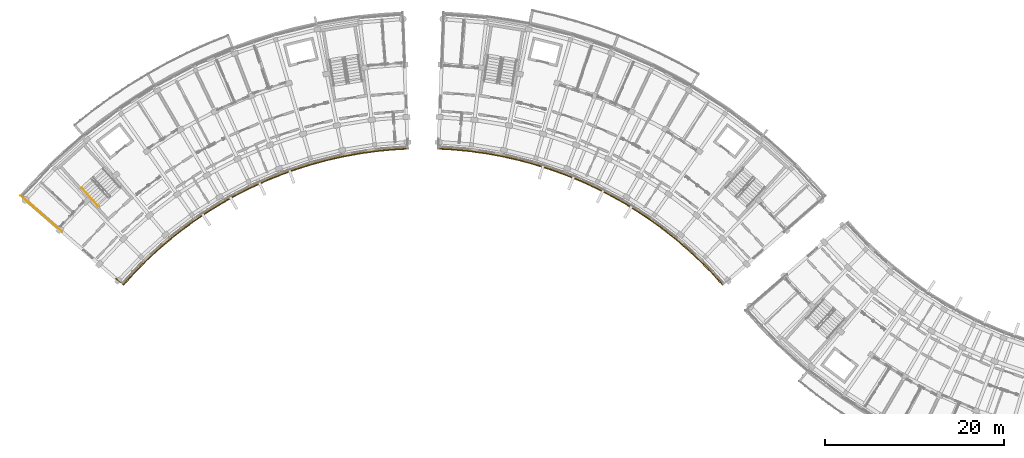
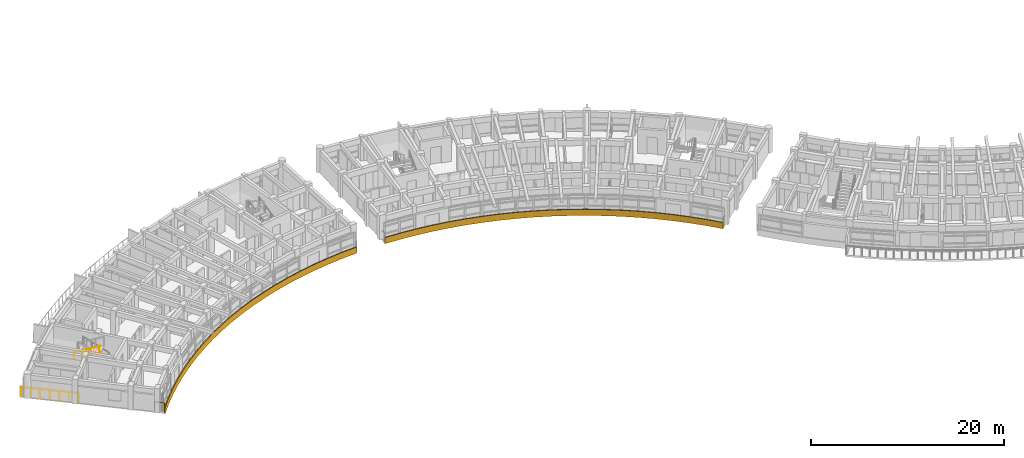
# One storey, part 42 of 55: 5 railings.
"""IFC4 building model written with IfcOpenShell, lengths in metres."""

from ifc_helpers import new_model, si_unit, direction, frame, origin, origin_2d, place, context, subcontext, project, spatial, polyline, circle, outline, extrude, material, type_object, element, save


model = new_model("IFC4")

# Units and contexts
model_context = context("Model", 3, precision=1e-05, world=origin(), true_north=direction((0.0, 1.0)))
body_context = subcontext(model_context, "Body", "Model", "MODEL_VIEW")
ifc_project = project(units=[si_unit("LENGTHUNIT", "METRE"), si_unit("AREAUNIT", "SQUARE_METRE"), si_unit("VOLUMEUNIT", "CUBIC_METRE"), si_unit("PLANEANGLEUNIT", "RADIAN"), si_unit("MASSUNIT", "GRAM", prefix="KILO")], contexts=[model_context])

# Site, building, storey
site_placement = place(None, origin())
site = spatial("IfcSite", under=ifc_project, at=site_placement, CompositionType="ELEMENT")
building_placement = place(site_placement, origin())
building = spatial("IfcBuilding", under=site, at=building_placement, Name="Zimvara Arc Housing Community", CompositionType="ELEMENT")
storey_placement = place(building_placement, frame((0.0, 0.0, 14.300048828125)))
storey = spatial("IfcBuildingStorey", under=building, at=storey_placement, Name="L04", CompositionType="ELEMENT", Elevation=14.300048828125)

# Railings
ifc_material_1 = material(Name="Anodised Aluminium AW-6063", Category="aluminium")
railing_type_1 = type_object("IfcRailingType", Name="RLG-BAL-1150", PredefinedType="BALUSTRADE", material=ifc_material_1)
railing_1_placement = place(storey_placement, frame((11.490966796875, 73.62890625, 0.0)))
element("IfcRailing", 1, at=railing_1_placement, inside=storey, type_object=railing_type_1, Name="rlg:blkA:L04:gable_in:g0", PredefinedType="BALUSTRADE", context=body_context, shape_type="SweptSolid", body=[
    extrude(circle(Radius=0.02392578125, at=origin_2d()), frame((0.0, 0.0, 1.1259765625), z_axis=(-0.754659042762, 0.656117161167, 0.0), x_axis=(-0.656117161167, -0.754659042762, 0.0)), (0.0, 0.0, 1.0), 1.080322265625),
    extrude(circle(Radius=0.02099609375, at=origin_2d()), origin(), (0.0, 0.0, 1.0), 1.101806640625),
    extrude(circle(Radius=0.02099609375, at=origin_2d()), frame((-0.815185546875, 0.708740234375, 0.0)), (0.0, 0.0, 1.0), 1.101806640625),
])
railing_2_placement = place(storey_placement, frame((4.668212890625, 79.559814453125, 0.0)))
element("IfcRailing", 2, at=railing_2_placement, inside=storey, type_object=railing_type_1, Name="rlg:blkA:L04:gable_out:g0", PredefinedType="BALUSTRADE", context=body_context, shape_type="SweptSolid", body=[
    extrude(circle(Radius=0.02392578125, at=origin_2d()), frame((0.0, 0.0, 1.1259765625), z_axis=(-0.754708757217, 0.656059975749, 0.0), x_axis=(-0.656059975749, -0.754708757217, 0.0)), (0.0, 0.0, 1.0), 6.159912109375),
    extrude(circle(Radius=0.02099609375, at=origin_2d()), origin(), (0.0, 0.0, 1.0), 1.101806640625),
    extrude(circle(Radius=0.02099609375, at=origin_2d()), frame((-0.77490234375, 0.673583984375, 0.0)), (0.0, 0.0, 1.0), 1.101806640625),
    extrude(circle(Radius=0.02099609375, at=origin_2d()), frame((-1.549560546875, 1.34716796875, 0.0)), (0.0, 0.0, 1.0), 1.101806640625),
    extrude(circle(Radius=0.02099609375, at=origin_2d()), frame((-2.324462890625, 2.0205078125, 0.0)), (0.0, 0.0, 1.0), 1.101806640625),
    extrude(circle(Radius=0.02099609375, at=origin_2d()), frame((-3.099365234375, 2.694091796875, 0.0)), (0.0, 0.0, 1.0), 1.101806640625),
    extrude(circle(Radius=0.02099609375, at=origin_2d()), frame((-3.8740234375, 3.36767578125, 0.0)), (0.0, 0.0, 1.0), 1.101806640625),
    extrude(circle(Radius=0.02099609375, at=origin_2d()), frame((-4.64892578125, 4.041259765625, 0.0)), (0.0, 0.0, 1.0), 1.101806640625),
])
ifc_material_2 = material(Name="Pale-Gold Anodised Aluminium AW-6063", Category="aluminium")
railing_type_2 = type_object("IfcRailingType", Name="RLG-FAS-780", PredefinedType="BALUSTRADE", material=ifc_material_2)
railing_3_placement = place(storey_placement, frame((0.0, 0.0, -0.219970703125)))
element("IfcRailing", 3, at=railing_3_placement, inside=storey, type_object=railing_type_2, Name="rlg:blkA:L04:gold_in", PredefinedType="BALUSTRADE", context=body_context, shape_type="SweptSolid", body=[
    extrude(outline(polyline([(11.55126953125, 73.576416015625), (12.766357421875, 74.91796875), (14.03515625, 76.208740234375), (15.355712890625, 77.446533203125), (16.7255859375, 78.62939453125), (18.142578125, 79.75537109375), (19.6044921875, 80.822509765625), (21.108642578125, 81.8291015625), (22.652587890625, 82.7734375), (24.234130859375, 83.654052734375), (25.849853515625, 84.46923828125), (27.497802734375, 85.2177734375), (29.1748046875, 85.8984375), (30.87841796875, 86.510009765625), (32.60546875, 87.051513671875), (34.35302734375, 87.522216796875), (36.11865234375, 87.9208984375), (37.898681640625, 88.247314453125), (39.69091796875, 88.5009765625), (41.491943359375, 88.680908203125), (43.298583984375, 88.787353515625), (43.2939453125, 88.9072265625), (41.482421875, 88.800537109375), (39.676513671875, 88.6201171875), (37.879638671875, 88.365966796875), (36.094482421875, 88.03857421875), (34.32421875, 87.638671875), (32.57177734375, 87.166748046875), (30.840087890625, 86.623779296875), (29.132080078125, 86.010498046875), (27.450439453125, 85.328125), (25.798095703125, 84.577392578125), (24.177734375, 83.760009765625), (22.59228515625, 82.877197265625), (21.0439453125, 81.93017578125), (19.53564453125, 80.9208984375), (18.06982421875, 79.850830078125), (16.64892578125, 78.721923828125), (15.275390625, 77.53564453125), (13.951416015625, 76.29443359375), (12.678955078125, 75.000244140625), (11.460693359375, 73.6552734375), (11.55126953125, 73.576416015625)])), origin(), (0.0, 0.0, 1.0), 0.780029296875),
])
railing_4_placement = place(storey_placement, frame((0.0, 0.0, -0.219970703125)))
element("IfcRailing", 4, at=railing_4_placement, inside=storey, type_object=railing_type_2, Name="rlg:blkB:L04:gold_in", PredefinedType="BALUSTRADE", context=body_context, shape_type="SweptSolid", body=[
    extrude(outline(polyline([(46.701416015625, 88.787353515625), (48.508056640625, 88.680908203125), (50.30908203125, 88.5009765625), (52.101318359375, 88.247314453125), (53.88134765625, 87.9208984375), (55.64697265625, 87.522216796875), (57.39453125, 87.051513671875), (59.12158203125, 86.510009765625), (60.8251953125, 85.8984375), (62.502197265625, 85.2177734375), (64.150146484375, 84.46923828125), (65.765869140625, 83.654052734375), (67.347412109375, 82.7734375), (68.891357421875, 81.8291015625), (70.3955078125, 80.822509765625), (71.857421875, 79.75537109375), (73.2744140625, 78.62939453125), (74.644287109375, 77.446533203125), (75.96484375, 76.208740234375), (77.233642578125, 74.91796875), (78.44873046875, 73.576416015625), (78.539306640625, 73.6552734375), (77.321044921875, 75.000244140625), (76.048583984375, 76.29443359375), (74.724609375, 77.53564453125), (73.35107421875, 78.721923828125), (71.93017578125, 79.850830078125), (70.46435546875, 80.9208984375), (68.9560546875, 81.93017578125), (67.40771484375, 82.877197265625), (65.822265625, 83.760009765625), (64.201904296875, 84.577392578125), (62.549560546875, 85.328125), (60.867919921875, 86.010498046875), (59.159912109375, 86.623779296875), (57.42822265625, 87.166748046875), (55.67578125, 87.638671875), (53.905517578125, 88.03857421875), (52.120361328125, 88.365966796875), (50.323486328125, 88.6201171875), (48.517578125, 88.800537109375), (46.7060546875, 88.9072265625), (46.701416015625, 88.787353515625)])), origin(), (0.0, 0.0, 1.0), 0.780029296875),
])
ifc_material_3 = material(Name="Anodised Aluminium AW-6063", Category="aluminium")
railing_type_3 = type_object("IfcRailingType", Name="RLG-HND-900", PredefinedType="HANDRAIL", material=ifc_material_3)
railing_5_placement = place(storey_placement, frame((6.890869140625, 84.476806640625, 1.704833984375)))
element("IfcRailing", 5, at=railing_5_placement, inside=storey, type_object=railing_type_3, Name="L04 ST-A1 stair handrail 2", PredefinedType="HANDRAIL", context=body_context, shape_type="SweptSolid", body=[
    extrude(circle(Radius=0.02392578125, at=origin_2d()), frame((0.0, 0.0, 0.8759765625), z_axis=(0.599067985855, -0.665717608404, 0.444901802856), x_axis=(0.743337374551, 0.668916697052, 0.0)), (0.0, 0.0, 1.0), 3.135498046875),
    extrude(circle(Radius=0.02099609375, at=origin_2d()), origin(), (0.0, 0.0, 1.0), 0.851806640625),
    extrude(circle(Radius=0.02099609375, at=origin_2d()), frame((0.626220703125, -0.69580078125, 0.465087890625)), (0.0, 0.0, 1.0), 0.851806640625),
    extrude(circle(Radius=0.02099609375, at=origin_2d()), frame((1.252197265625, -1.3916015625, 0.929931640625)), (0.0, 0.0, 1.0), 0.851806640625),
    extrude(circle(Radius=0.02099609375, at=origin_2d()), frame((1.87841796875, -2.08740234375, 1.39501953125)), (0.0, 0.0, 1.0), 0.851806640625),
])

save(model, "model.ifc")
